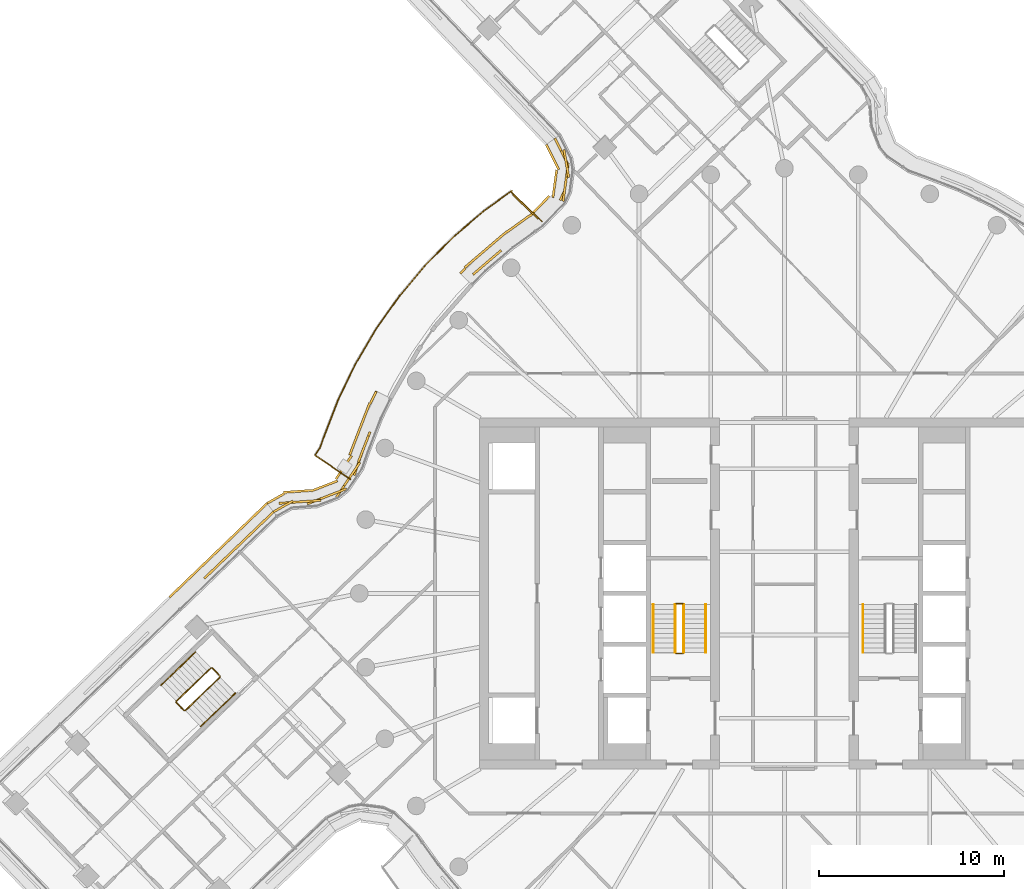
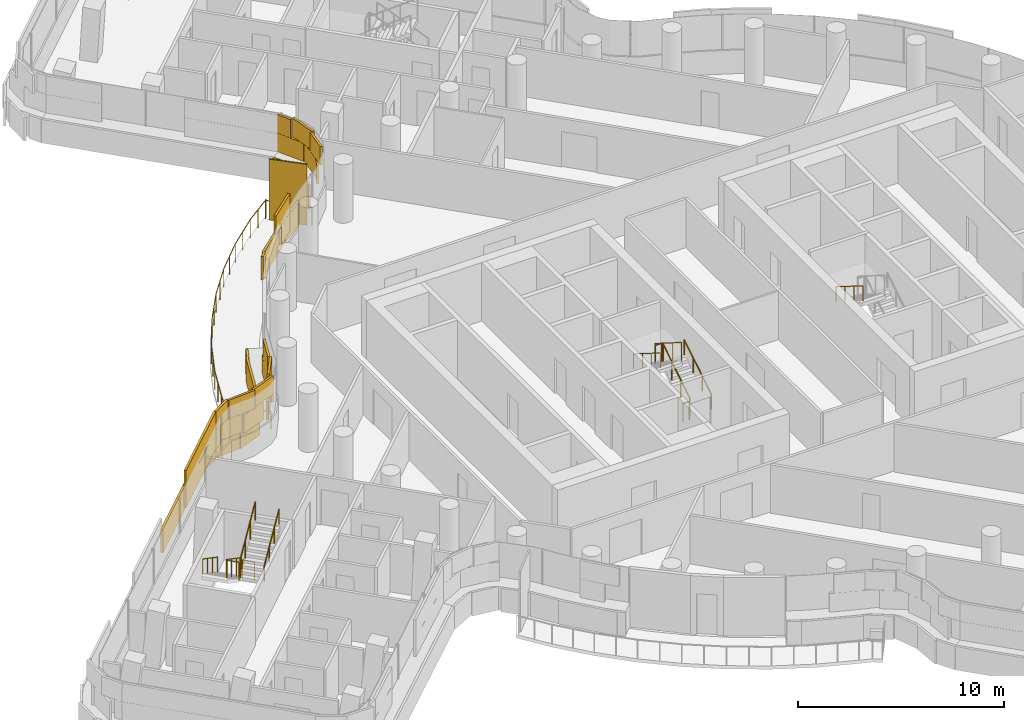
# One storey, part 30 of 34: 14 railings, 3 coverings, 1 shading device.
"""IFC4 building model written with IfcOpenShell, lengths in metres."""

from ifc_helpers import new_model, si_unit, direction, frame, origin, origin_2d, place, context, subcontext, project, spatial, rectangle, circle, extrude, material, layer, layer_set, type_object, element, save


model = new_model("IFC4")

# Units and contexts
model_context = context("Model", 3, precision=1e-05, world=origin(), true_north=direction((0.0, 1.0)))
body_context = subcontext(model_context, "Body", "Model", "MODEL_VIEW")
ifc_project = project(units=[si_unit("LENGTHUNIT", "METRE"), si_unit("AREAUNIT", "SQUARE_METRE"), si_unit("VOLUMEUNIT", "CUBIC_METRE"), si_unit("PLANEANGLEUNIT", "RADIAN"), si_unit("MASSUNIT", "GRAM", prefix="KILO")], contexts=[model_context])

# Site, building, storey
site_placement = place(None, origin())
site = spatial("IfcSite", under=ifc_project, at=site_placement, CompositionType="ELEMENT")
building_placement = place(site_placement, origin())
building = spatial("IfcBuilding", under=site, at=building_placement, Name="Tamarind Cross Interchange Tower", CompositionType="ELEMENT")
storey_placement = place(building_placement, frame((0.0, 0.0, 193.300048828125)))
storey = spatial("IfcBuildingStorey", under=building, at=storey_placement, Name="L48", CompositionType="ELEMENT", Elevation=193.300048828125)

# Railing
ifc_material_1 = material(Name="Stainless steel and laminated glass", Category="steel")
railing_type_1 = type_object("IfcRailingType", Name="Balcony guard", PredefinedType="BALUSTRADE", material=ifc_material_1)
railing_1_placement = place(storey_placement, frame((-13.123291015625, 20.123046875, 0.0)))
element("IfcRailing", 1, at=railing_1_placement, inside=storey, type_object=railing_type_1, Name="Balcony guard 10", PredefinedType="BALUSTRADE", context=body_context, shape_type="SweptSolid", body=[
    extrude(circle(Radius=0.02490234375, at=origin_2d()), frame((0.0, 0.0, 1.0751953125), z_axis=(-0.720861375087, 0.693079272456, 0.0), x_axis=(-0.693079272456, -0.720861375087, 0.0)), (0.0, 0.0, 1.0), 2.320068359375),
    extrude(circle(Radius=0.02490234375, at=origin_2d()), frame((-1.67236328125, 1.60791015625, 1.0751953125), z_axis=(0.692410699001, 0.721503585514, 0.0), x_axis=(-0.721503585514, 0.692410699001, 0.0)), (0.0, 0.0, 1.0), 0.083984375),
    extrude(circle(Radius=0.02490234375, at=origin_2d()), frame((-1.6142578125, 1.66845703125, 1.0751953125), z_axis=(-0.811326200744, -0.584593701631, 0.0), x_axis=(0.584593701631, -0.811326200744, 0.0)), (0.0, 0.0, 1.0), 1.869384765625),
    extrude(circle(Radius=0.02490234375, at=origin_2d()), frame((-3.130859375, 0.57568359375, 1.0751953125), z_axis=(-0.760277812684, -0.649598066146, 0.0), x_axis=(0.649598066146, -0.760277812684, 0.0)), (0.0, 0.0, 1.0), 2.175048828125),
    extrude(circle(Radius=0.02490234375, at=origin_2d()), frame((-4.784423828125, -0.837158203125, 1.0751953125), z_axis=(-0.704069857635, -0.710130717242, 0.0), x_axis=(0.710130717242, -0.704069857635, 0.0)), (0.0, 0.0, 1.0), 2.17529296875),
    extrude(circle(Radius=0.02490234375, at=origin_2d()), frame((-6.31591796875, -2.3818359375, 1.0751953125), z_axis=(-0.642984125922, -0.765879503455, 0.0), x_axis=(0.765879503455, -0.642984125922, 0.0)), (0.0, 0.0, 1.0), 2.17529296875),
    extrude(circle(Radius=0.02490234375, at=origin_2d()), frame((-7.714599609375, -4.0478515625, 1.0751953125), z_axis=(-0.577590617379, -0.81632657602, 0.0), x_axis=(0.81632657602, -0.577590617379, 0.0)), (0.0, 0.0, 1.0), 2.175048828125),
    extrude(circle(Radius=0.02490234375, at=origin_2d()), frame((-8.970947265625, -5.823486328125, 1.0751953125), z_axis=(-0.508226290333, -0.861223570169, 0.0), x_axis=(0.861223570169, -0.508226290333, 0.0)), (0.0, 0.0, 1.0), 2.175048828125),
    extrude(circle(Radius=0.02490234375, at=origin_2d()), frame((-10.076416015625, -7.69677734375, 1.0751953125), z_axis=(-0.435276325285, -0.90029690694, 0.0), x_axis=(0.90029690694, -0.435276325285, 0.0)), (0.0, 0.0, 1.0), 2.175048828125),
    extrude(circle(Radius=0.02490234375, at=origin_2d()), frame((-11.023193359375, -9.655029296875, 1.0751953125), z_axis=(-0.35954436288, -0.933127992893, 0.0), x_axis=(0.933127992893, -0.35954436288, 0.0)), (0.0, 0.0, 1.0), 2.112548828125),
    extrude(circle(Radius=0.02490234375, at=origin_2d()), frame((-11.78271484375, -11.626220703125, 1.0751953125), z_axis=(-0.332508122255, -0.943100391599, 0.0), x_axis=(0.943100391599, -0.332508122255, 0.0)), (0.0, 0.0, 1.0), 0.655029296875),
    extrude(circle(Radius=0.02490234375, at=origin_2d()), frame((-12.00048828125, -12.243896484375, 1.0751953125), z_axis=(-0.559038674622, -0.829141580357, 0.0), x_axis=(0.829141580357, -0.559038674622, 0.0)), (0.0, 0.0, 1.0), 0.49267578125),
    extrude(circle(Radius=0.02490234375, at=origin_2d()), frame((-12.27587890625, -12.65234375, 1.0751953125), z_axis=(0.829026746745, -0.559208953059, 0.0), x_axis=(0.559208953059, 0.829026746745, 0.0)), (0.0, 0.0, 1.0), 2.320068359375),
    extrude(circle(Radius=0.02001953125, at=origin_2d()), origin(), (0.0, 0.0, 1.0), 1.050048828125),
    extrude(circle(Radius=0.02001953125, at=origin_2d()), frame((-0.836181640625, 0.803955078125, 0.0)), (0.0, 0.0, 1.0), 1.050048828125),
    extrude(circle(Radius=0.02001953125, at=origin_2d()), frame((-1.67236328125, 1.60791015625, 0.0)), (0.0, 0.0, 1.0), 1.050048828125),
    extrude(circle(Radius=0.02001953125, at=origin_2d()), frame((-1.6142578125, 1.66845703125, 0.0)), (0.0, 0.0, 1.0), 1.050048828125),
    extrude(circle(Radius=0.02001953125, at=origin_2d()), frame((-2.37255859375, 1.1220703125, 0.0)), (0.0, 0.0, 1.0), 1.050048828125),
    extrude(circle(Radius=0.02001953125, at=origin_2d()), frame((-3.130859375, 0.57568359375, 0.0)), (0.0, 0.0, 1.0), 1.050048828125),
    extrude(circle(Radius=0.02001953125, at=origin_2d()), frame((-3.95751953125, -0.130859375, 0.0)), (0.0, 0.0, 1.0), 1.050048828125),
    extrude(circle(Radius=0.02001953125, at=origin_2d()), frame((-4.784423828125, -0.837158203125, 0.0)), (0.0, 0.0, 1.0), 1.050048828125),
    extrude(circle(Radius=0.02001953125, at=origin_2d()), frame((-5.55029296875, -1.609375, 0.0)), (0.0, 0.0, 1.0), 1.050048828125),
    extrude(circle(Radius=0.02001953125, at=origin_2d()), frame((-6.31591796875, -2.3818359375, 0.0)), (0.0, 0.0, 1.0), 1.050048828125),
    extrude(circle(Radius=0.02001953125, at=origin_2d()), frame((-7.01513671875, -3.21484375, 0.0)), (0.0, 0.0, 1.0), 1.050048828125),
    extrude(circle(Radius=0.02001953125, at=origin_2d()), frame((-7.714599609375, -4.0478515625, 0.0)), (0.0, 0.0, 1.0), 1.050048828125),
    extrude(circle(Radius=0.02001953125, at=origin_2d()), frame((-8.3427734375, -4.935546875, 0.0)), (0.0, 0.0, 1.0), 1.050048828125),
    extrude(circle(Radius=0.02001953125, at=origin_2d()), frame((-8.970947265625, -5.823486328125, 0.0)), (0.0, 0.0, 1.0), 1.050048828125),
    extrude(circle(Radius=0.02001953125, at=origin_2d()), frame((-9.523681640625, -6.76025390625, 0.0)), (0.0, 0.0, 1.0), 1.050048828125),
    extrude(circle(Radius=0.02001953125, at=origin_2d()), frame((-10.076416015625, -7.69677734375, 0.0)), (0.0, 0.0, 1.0), 1.050048828125),
    extrude(circle(Radius=0.02001953125, at=origin_2d()), frame((-10.5498046875, -8.67578125, 0.0)), (0.0, 0.0, 1.0), 1.050048828125),
    extrude(circle(Radius=0.02001953125, at=origin_2d()), frame((-11.023193359375, -9.655029296875, 0.0)), (0.0, 0.0, 1.0), 1.050048828125),
    extrude(circle(Radius=0.02001953125, at=origin_2d()), frame((-11.40283203125, -10.640625, 0.0)), (0.0, 0.0, 1.0), 1.050048828125),
    extrude(circle(Radius=0.02001953125, at=origin_2d()), frame((-11.78271484375, -11.626220703125, 0.0)), (0.0, 0.0, 1.0), 1.050048828125),
    extrude(circle(Radius=0.02001953125, at=origin_2d()), frame((-12.00048828125, -12.243896484375, 0.0)), (0.0, 0.0, 1.0), 1.050048828125),
    extrude(circle(Radius=0.02001953125, at=origin_2d()), frame((-12.27587890625, -12.65234375, 0.0)), (0.0, 0.0, 1.0), 1.050048828125),
    extrude(circle(Radius=0.02001953125, at=origin_2d()), frame((-11.314208984375, -13.301025390625, 0.0)), (0.0, 0.0, 1.0), 1.050048828125),
    extrude(circle(Radius=0.02001953125, at=origin_2d()), frame((-10.3525390625, -13.94970703125, 0.0)), (0.0, 0.0, 1.0), 1.050048828125),
])

# Shading device
ifc_material_2 = material(Name="Bronze-finish aluminium louvre", Category="aluminium")
ifc_layer_1 = layer(ifc_material_2, 0.080078125)
ifc_layer_set_1 = layer_set([ifc_layer_1], Name="Bronze-finish aluminium louvre")
shading_device_type = type_object("IfcShadingDeviceType", Name="Operable louvre bay", PredefinedType="JALOUSIE", material=ifc_layer_set_1)
shading_device_placement = place(storey_placement, origin())
element("IfcShadingDevice", 2, at=shading_device_placement, inside=storey, type_object=shading_device_type, Name="LVR-L48-BAL10", PredefinedType="JALOUSIE", context=body_context, shape_type="SweptSolid", body=[
    extrude(rectangle(XDim=1.89990234375, YDim=0.080078125, at=origin_2d()), frame((-14.006591796875, 20.928466796875, 0.0), z_axis=(0.0, 0.0, 1.0), x_axis=(-0.720856392912, 0.693084454304, 0.0)), (0.0, 0.0, 1.0), 3.60009765625),
])

# Railings
ifc_material_3 = material(Name="Stair guard")
railing_type_2 = type_object("IfcRailingType", Name="Stair guard", PredefinedType="GUARDRAIL", material=ifc_material_3)
railing_2_placement = place(storey_placement, frame((-5.449951171875, -3.199951171875, 0.16357421875)))
element("IfcRailing", 3, at=railing_2_placement, inside=storey, type_object=railing_type_2, Name="L48 ST1 stair guard 1", PredefinedType="GUARDRAIL", context=body_context, shape_type="SweptSolid", body=[
    extrude(circle(Radius=0.02392578125, at=origin_2d()), frame((0.0, 0.0, 1.076171875), z_axis=(0.0, 0.846301844409, 0.532703658848), x_axis=(-1.0, 0.0, 0.0)), (0.0, 0.0, 1.0), 3.072021484375),
    extrude(circle(Radius=0.02099609375, at=origin_2d()), origin(), (0.0, 0.0, 1.0), 1.052001953125),
    extrude(circle(Radius=0.02099609375, at=origin_2d()), frame((0.0, 0.86669921875, 0.54541015625)), (0.0, 0.0, 1.0), 1.052001953125),
    extrude(circle(Radius=0.02099609375, at=origin_2d()), frame((0.0, 1.733154296875, 1.091064453125)), (0.0, 0.0, 1.0), 1.052001953125),
    extrude(circle(Radius=0.02099609375, at=origin_2d()), frame((0.0, 2.599853515625, 1.636474609375)), (0.0, 0.0, 1.0), 1.052001953125),
])
railing_3_placement = place(storey_placement, frame((-5.5, -0.550048828125, 1.800048828125)))
element("IfcRailing", 4, at=railing_3_placement, inside=storey, type_object=railing_type_2, Name="L48 ST1 stair guard 2", PredefinedType="GUARDRAIL", context=body_context, shape_type="SweptSolid", body=[
    extrude(circle(Radius=0.02392578125, at=origin_2d()), frame((0.0, 0.0, 1.076171875), z_axis=(-1.0, 0.0, 0.0), x_axis=(0.0, -1.0, 0.0)), (0.0, 0.0, 1.0), 0.35009765625),
    extrude(circle(Radius=0.02099609375, at=origin_2d()), origin(), (0.0, 0.0, 1.0), 1.052001953125),
    extrude(circle(Radius=0.02099609375, at=origin_2d()), frame((-0.35009765625, 0.0, 0.0)), (0.0, 0.0, 1.0), 1.052001953125),
])
railing_4_placement = place(storey_placement, frame((-5.89990234375, -0.60009765625, 1.963623046875)))
element("IfcRailing", 5, at=railing_4_placement, inside=storey, type_object=railing_type_2, Name="L48 ST1 stair guard 3", PredefinedType="GUARDRAIL", context=body_context, shape_type="SweptSolid", body=[
    extrude(circle(Radius=0.02392578125, at=origin_2d()), frame((0.0, 0.0, 1.076171875), z_axis=(0.0, -0.846337672412, 0.532646734952), x_axis=(1.0, 0.0, 0.0)), (0.0, 0.0, 1.0), 3.07177734375),
    extrude(circle(Radius=0.02099609375, at=origin_2d()), origin(), (0.0, 0.0, 1.0), 1.052001953125),
    extrude(circle(Radius=0.02099609375, at=origin_2d()), frame((0.0, -0.86669921875, 0.54541015625)), (0.0, 0.0, 1.0), 1.052001953125),
    extrude(circle(Radius=0.02099609375, at=origin_2d()), frame((0.0, -1.733154296875, 1.0908203125)), (0.0, 0.0, 1.0), 1.052001953125),
    extrude(circle(Radius=0.02099609375, at=origin_2d()), frame((0.0, -2.599853515625, 1.63623046875)), (0.0, 0.0, 1.0), 1.052001953125),
])
railing_5_placement = place(storey_placement, frame((-5.5, -3.25, 0.0)))
element("IfcRailing", 6, at=railing_5_placement, inside=storey, type_object=railing_type_2, Name="L48 ST1 stair guard 4", PredefinedType="GUARDRAIL", context=body_context, shape_type="SweptSolid", body=[
    extrude(circle(Radius=0.02392578125, at=origin_2d()), frame((0.0, 0.0, 1.076171875), z_axis=(-1.0, 0.0, 0.0), x_axis=(0.0, -1.0, 0.0)), (0.0, 0.0, 1.0), 0.35009765625),
    extrude(circle(Radius=0.02099609375, at=origin_2d()), origin(), (0.0, 0.0, 1.0), 1.052001953125),
    extrude(circle(Radius=0.02099609375, at=origin_2d()), frame((-0.35009765625, 0.0, 0.0)), (0.0, 0.0, 1.0), 1.052001953125),
])
railing_6_placement = place(storey_placement, frame((-31.025390625, -4.031982421875, 0.16357421875)))
element("IfcRailing", 7, at=railing_6_placement, inside=storey, type_object=railing_type_2, Name="L48 ST5 stair guard 1", PredefinedType="GUARDRAIL", context=body_context, shape_type="SweptSolid", body=[
    extrude(circle(Radius=0.02392578125, at=origin_2d()), frame((0.0, 0.0, 1.076171875), z_axis=(-0.610003938993, -0.586640057014, 0.532680615303), x_axis=(0.693168763565, -0.720775322287, 0.0)), (0.0, 0.0, 1.0), 3.072265625),
    extrude(circle(Radius=0.02099609375, at=origin_2d()), origin(), (0.0, 0.0, 1.0), 1.052001953125),
    extrude(circle(Radius=0.02099609375, at=origin_2d()), frame((-0.624755859375, -0.600830078125, 0.54541015625)), (0.0, 0.0, 1.0), 1.052001953125),
    extrude(circle(Radius=0.02099609375, at=origin_2d()), frame((-1.249267578125, -1.201416015625, 1.091064453125)), (0.0, 0.0, 1.0), 1.052001953125),
    extrude(circle(Radius=0.02099609375, at=origin_2d()), frame((-1.8740234375, -1.80224609375, 1.636474609375)), (0.0, 0.0, 1.0), 1.052001953125),
])
railing_7_placement = place(storey_placement, frame((-32.900634765625, -5.90478515625, 1.800048828125)))
element("IfcRailing", 8, at=railing_7_placement, inside=storey, type_object=railing_type_2, Name="L48 ST5 stair guard 2", PredefinedType="GUARDRAIL", context=body_context, shape_type="SweptSolid", body=[
    extrude(circle(Radius=0.02392578125, at=origin_2d()), frame((0.0, 0.0, 1.076171875), z_axis=(0.692929801917, -0.721005055194, 0.0), x_axis=(0.721005055194, 0.692929801917, 0.0)), (0.0, 0.0, 1.0), 0.60009765625),
    extrude(circle(Radius=0.02099609375, at=origin_2d()), origin(), (0.0, 0.0, 1.0), 1.052001953125),
    extrude(circle(Radius=0.02099609375, at=origin_2d()), frame((0.415771484375, -0.4326171875, 0.0)), (0.0, 0.0, 1.0), 1.052001953125),
])
railing_8_placement = place(storey_placement, frame((-32.4140625, -6.338623046875, 1.963623046875)))
element("IfcRailing", 9, at=railing_8_placement, inside=storey, type_object=railing_type_2, Name="L48 ST5 stair guard 3", PredefinedType="GUARDRAIL", context=body_context, shape_type="SweptSolid", body=[
    extrude(circle(Radius=0.02392578125, at=origin_2d()), frame((0.0, 0.0, 1.076171875), z_axis=(0.610029761142, 0.586664890144, 0.532623691919), x_axis=(-0.693168763565, 0.720775322287, 0.0)), (0.0, 0.0, 1.0), 3.072021484375),
    extrude(circle(Radius=0.02099609375, at=origin_2d()), origin(), (0.0, 0.0, 1.0), 1.052001953125),
    extrude(circle(Radius=0.02099609375, at=origin_2d()), frame((0.624755859375, 0.600830078125, 0.54541015625)), (0.0, 0.0, 1.0), 1.052001953125),
    extrude(circle(Radius=0.02099609375, at=origin_2d()), frame((1.249267578125, 1.201416015625, 1.0908203125)), (0.0, 0.0, 1.0), 1.052001953125),
    extrude(circle(Radius=0.02099609375, at=origin_2d()), frame((1.8740234375, 1.80224609375, 1.63623046875)), (0.0, 0.0, 1.0), 1.052001953125),
])
railing_9_placement = place(storey_placement, frame((-30.95458984375, -4.033203125, 0.0)))
element("IfcRailing", 10, at=railing_9_placement, inside=storey, type_object=railing_type_2, Name="L48 ST5 stair guard 4", PredefinedType="GUARDRAIL", context=body_context, shape_type="SweptSolid", body=[
    extrude(circle(Radius=0.02392578125, at=origin_2d()), frame((0.0, 0.0, 1.076171875), z_axis=(0.692929801917, -0.721005055194, 0.0), x_axis=(0.721005055194, 0.692929801917, 0.0)), (0.0, 0.0, 1.0), 0.60009765625),
    extrude(circle(Radius=0.02099609375, at=origin_2d()), origin(), (0.0, 0.0, 1.0), 1.052001953125),
    extrude(circle(Radius=0.02099609375, at=origin_2d()), frame((0.415771484375, -0.4326171875, 0.0)), (0.0, 0.0, 1.0), 1.052001953125),
])
ifc_material_4 = material(Name="Stair handrail")
railing_type_3 = type_object("IfcRailingType", Name="Stair handrail", PredefinedType="HANDRAIL", material=ifc_material_4)
railing_10_placement = place(storey_placement, frame((-4.25, -3.199951171875, 0.16357421875)))
element("IfcRailing", 11, at=railing_10_placement, inside=storey, type_object=railing_type_3, Name="L48 ST1 stair handrail 1", PredefinedType="HANDRAIL", context=body_context, shape_type="SweptSolid", body=[
    extrude(circle(Radius=0.02392578125, at=origin_2d()), frame((0.0, 0.0, 0.8759765625), z_axis=(0.0, 0.846301844409, 0.532703658848), x_axis=(-1.0, 0.0, 0.0)), (0.0, 0.0, 1.0), 3.072021484375),
    extrude(circle(Radius=0.02099609375, at=origin_2d()), origin(), (0.0, 0.0, 1.0), 0.851806640625),
    extrude(circle(Radius=0.02099609375, at=origin_2d()), frame((0.0, 0.86669921875, 0.54541015625)), (0.0, 0.0, 1.0), 0.851806640625),
    extrude(circle(Radius=0.02099609375, at=origin_2d()), frame((0.0, 1.733154296875, 1.091064453125)), (0.0, 0.0, 1.0), 0.851806640625),
    extrude(circle(Radius=0.02099609375, at=origin_2d()), frame((0.0, 2.599853515625, 1.636474609375)), (0.0, 0.0, 1.0), 0.851806640625),
])
for number, where, name in (
    (12, (-7.10009765625, -0.60009765625, 1.963623046875), "L48 ST1 stair handrail 2"),
    (13, (4.25, -0.60009765625, 1.963623046875), "L48 ST2 stair handrail 2"),
):
    element("IfcRailing", number, at=place(storey_placement, frame(where)), inside=storey, type_object=railing_type_3, Name=name, PredefinedType="HANDRAIL", context=body_context, shape_type="SweptSolid", body=[
        extrude(circle(Radius=0.02392578125, at=origin_2d()), frame((0.0, 0.0, 0.8759765625), z_axis=(0.0, -0.846337672412, 0.532646734952), x_axis=(1.0, 0.0, 0.0)), (0.0, 0.0, 1.0), 3.07177734375),
        extrude(circle(Radius=0.02099609375, at=origin_2d()), origin(), (0.0, 0.0, 1.0), 0.851806640625),
        extrude(circle(Radius=0.02099609375, at=origin_2d()), frame((0.0, -0.86669921875, 0.54541015625)), (0.0, 0.0, 1.0), 0.851806640625),
        extrude(circle(Radius=0.02099609375, at=origin_2d()), frame((0.0, -1.733154296875, 1.0908203125)), (0.0, 0.0, 1.0), 0.851806640625),
        extrude(circle(Radius=0.02099609375, at=origin_2d()), frame((0.0, -2.599853515625, 1.63623046875)), (0.0, 0.0, 1.0), 0.851806640625),
    ])
railing_11_placement = place(storey_placement, frame((-31.857177734375, -3.1669921875, 0.16357421875)))
element("IfcRailing", 14, at=railing_11_placement, inside=storey, type_object=railing_type_3, Name="L48 ST5 stair handrail 1", PredefinedType="HANDRAIL", context=body_context, shape_type="SweptSolid", body=[
    extrude(circle(Radius=0.02392578125, at=origin_2d()), frame((0.0, 0.0, 0.8759765625), z_axis=(-0.610003938993, -0.586640057014, 0.532680615303), x_axis=(0.693168763565, -0.720775322287, 0.0)), (0.0, 0.0, 1.0), 3.072265625),
    extrude(circle(Radius=0.02099609375, at=origin_2d()), origin(), (0.0, 0.0, 1.0), 0.851806640625),
    extrude(circle(Radius=0.02099609375, at=origin_2d()), frame((-0.624755859375, -0.600830078125, 0.54541015625)), (0.0, 0.0, 1.0), 0.851806640625),
    extrude(circle(Radius=0.02099609375, at=origin_2d()), frame((-1.249267578125, -1.201416015625, 1.091064453125)), (0.0, 0.0, 1.0), 0.851806640625),
    extrude(circle(Radius=0.02099609375, at=origin_2d()), frame((-1.8740234375, -1.80224609375, 1.636474609375)), (0.0, 0.0, 1.0), 0.851806640625),
])
railing_12_placement = place(storey_placement, frame((-31.582275390625, -7.20361328125, 1.963623046875)))
element("IfcRailing", 15, at=railing_12_placement, inside=storey, type_object=railing_type_3, Name="L48 ST5 stair handrail 2", PredefinedType="HANDRAIL", context=body_context, shape_type="SweptSolid", body=[
    extrude(circle(Radius=0.02392578125, at=origin_2d()), frame((0.0, 0.0, 0.8759765625), z_axis=(0.610029761142, 0.586664890144, 0.532623691919), x_axis=(-0.693168763565, 0.720775322287, 0.0)), (0.0, 0.0, 1.0), 3.072021484375),
    extrude(circle(Radius=0.02099609375, at=origin_2d()), origin(), (0.0, 0.0, 1.0), 0.851806640625),
    extrude(circle(Radius=0.02099609375, at=origin_2d()), frame((0.624755859375, 0.600830078125, 0.54541015625)), (0.0, 0.0, 1.0), 0.851806640625),
    extrude(circle(Radius=0.02099609375, at=origin_2d()), frame((1.249267578125, 1.201416015625, 1.0908203125)), (0.0, 0.0, 1.0), 0.851806640625),
    extrude(circle(Radius=0.02099609375, at=origin_2d()), frame((1.8740234375, 1.80224609375, 1.63623046875)), (0.0, 0.0, 1.0), 0.851806640625),
])

# Coverings
ifc_material_5 = material(Name="Terracotta", Category="masonry")
ifc_layer_2 = layer(ifc_material_5, 0.1201171875)
ifc_layer_set_2 = layer_set([ifc_layer_2], Name="Terracotta")
covering_type = type_object("IfcCoveringType", Name="Terracotta baguette screen unit", PredefinedType="MOLDING", material=ifc_layer_set_2)
covering_1_placement = place(storey_placement, origin())
element("IfcCovering", 16, at=covering_1_placement, inside=storey, type_object=covering_type, Name="SCR-L48-10-00", PredefinedType="MOLDING", context=body_context, shape_type="SweptSolid", body=[
    extrude(rectangle(XDim=1.510009765625, YDim=0.1201171875, at=origin_2d()), frame((-12.077880859375, 23.94677734375, 1.40380859375), z_axis=(0.0, 0.0, 1.0), x_axis=(0.449312433431, -0.893374690242, 0.0)), (0.0, 0.0, 1.0), 1.092041015625),
    extrude(rectangle(XDim=1.52001953125, YDim=0.1201171875, at=origin_2d()), frame((-11.797119140625, 22.51611328125, 1.40380859375), z_axis=(0.0, 0.0, 1.0), x_axis=(-0.133371517322, -0.991066112006, 0.0)), (0.0, 0.0, 1.0), 1.092041015625),
    extrude(rectangle(XDim=0.56640625, YDim=0.1201171875, at=origin_2d()), frame((-12.0185546875, 21.521484375, 1.40380859375), z_axis=(0.0, 0.0, 1.0), x_axis=(-0.420188426488, -0.907436877279, 0.0)), (0.0, 0.0, 1.0), 1.092041015625),
    extrude(rectangle(XDim=1.253662109375, YDim=0.1201171875, at=origin_2d()), frame((-15.799560546875, 18.154052734375, 1.40380859375), z_axis=(0.0, 0.0, 1.0), x_axis=(-0.760295606781, -0.64957723968, 0.0)), (0.0, 0.0, 1.0), 1.092041015625),
    extrude(rectangle(XDim=0.760009765625, YDim=0.1201171875, at=origin_2d()), frame((-12.246337890625, 24.281982421875, 2.50390625), z_axis=(0.0, 0.0, 1.0), x_axis=(0.449312433431, -0.893374690242, 0.0)), (0.0, 0.0, 1.0), 1.092041015625),
    extrude(rectangle(XDim=1.52001953125, YDim=0.1201171875, at=origin_2d()), frame((-11.799560546875, 23.257568359375, 2.50390625), z_axis=(0.0, 0.0, 1.0), x_axis=(0.165349838501, -0.986234977532, 0.0)), (0.0, 0.0, 1.0), 1.092041015625),
    extrude(rectangle(XDim=1.31640625, YDim=0.1201171875, at=origin_2d()), frame((-11.88427734375, 21.86865234375, 2.50390625), z_axis=(0.0, 0.0, 1.0), x_axis=(-0.133371517322, -0.991066112006, 0.0)), (0.0, 0.0, 1.0), 1.092041015625),
    extrude(rectangle(XDim=0.503662109375, YDim=0.1201171875, at=origin_2d()), frame((-15.514404296875, 18.397705078125, 2.50390625), z_axis=(0.0, 0.0, 1.0), x_axis=(-0.760295606781, -0.64957723968, 0.0)), (0.0, 0.0, 1.0), 1.092041015625),
    extrude(rectangle(XDim=1.52001953125, YDim=0.1201171875, at=origin_2d()), frame((-16.272216796875, 17.75, 2.50390625), z_axis=(0.0, 0.0, 1.0), x_axis=(-0.760295606781, -0.64957723968, 0.0)), (0.0, 0.0, 1.0), 1.092041015625),
    extrude(rectangle(XDim=1.510009765625, YDim=0.1201171875, at=origin_2d()), frame((-12.550048828125, 23.608154296875, 0.00390625), z_axis=(0.0, 0.0, 1.0), x_axis=(0.449312433431, -0.893374690242, 0.0)), (0.0, 0.0, 1.0), 1.39208984375),
    extrude(rectangle(XDim=1.52001953125, YDim=0.1201171875, at=origin_2d()), frame((-12.423828125, 22.1640625, 0.00390625), z_axis=(0.0, 0.0, 1.0), x_axis=(-0.133371517322, -0.991066112006, 0.0)), (0.0, 0.0, 1.0), 1.39208984375),
    extrude(rectangle(XDim=1.52001953125, YDim=0.1201171875, at=origin_2d()), frame((-13.2431640625, 20.956298828125, 0.00390625), z_axis=(0.0, 0.0, 1.0), x_axis=(-0.693084454304, -0.720856392912, 0.0)), (0.0, 0.0, 1.0), 1.39208984375),
    extrude(rectangle(XDim=1.52001953125, YDim=0.1201171875, at=origin_2d()), frame((-14.39111328125, 20.0, 0.00390625), z_axis=(0.0, 0.0, 1.0), x_axis=(-0.811340475102, -0.584573890505, 0.0)), (0.0, 0.0, 1.0), 1.39208984375),
    extrude(rectangle(XDim=1.52001953125, YDim=0.1201171875, at=origin_2d()), frame((-15.58447265625, 19.0927734375, 0.00390625), z_axis=(0.0, 0.0, 1.0), x_axis=(-0.760295606781, -0.64957723968, 0.0)), (0.0, 0.0, 1.0), 1.39208984375),
    extrude(rectangle(XDim=1.52001953125, YDim=0.1201171875, at=origin_2d()), frame((-16.724853515625, 18.118408203125, 0.00390625), z_axis=(0.0, 0.0, 1.0), x_axis=(-0.760295606781, -0.64957723968, 0.0)), (0.0, 0.0, 1.0), 1.39208984375),
    extrude(rectangle(XDim=0.403076171875, YDim=0.1201171875, at=origin_2d()), frame((-17.391845703125, 17.4541015625, 0.00390625), z_axis=(0.0, 0.0, 1.0), x_axis=(-0.704057148523, -0.710143317658, 0.0)), (0.0, 0.0, 1.0), 1.39208984375),
    extrude(rectangle(XDim=0.03076171875, YDim=0.1201171875, at=origin_2d()), frame((-22.08642578125, 10.924560546875, 0.00390625), z_axis=(0.0, 0.0, 1.0), x_axis=(-0.435326231914, -0.900272776334, 0.0)), (0.0, 0.0, 1.0), 1.39208984375),
])
covering_2_placement = place(storey_placement, origin())
element("IfcCovering", 17, at=covering_2_placement, inside=storey, type_object=covering_type, Name="SCR-L48-10-01", PredefinedType="MOLDING", context=body_context, shape_type="SweptSolid", body=[
    extrude(rectangle(XDim=0.998291015625, YDim=0.1201171875, at=origin_2d()), frame((-22.6015625, 8.275146484375, 1.40380859375), z_axis=(0.0, 0.0, 1.0), x_axis=(-0.359495435512, -0.933146843667, 0.0)), (0.0, 0.0, 1.0), 1.092041015625),
    extrude(rectangle(XDim=1.52001953125, YDim=0.1201171875, at=origin_2d()), frame((-23.03125, 7.107666015625, 1.40380859375), z_axis=(0.0, 0.0, 1.0), x_axis=(-0.332589340856, -0.943071752492, 0.0)), (0.0, 0.0, 1.0), 1.092041015625),
    extrude(rectangle(XDim=1.52001953125, YDim=0.1201171875, at=origin_2d()), frame((-23.8125, 5.835205078125, 1.40380859375), z_axis=(0.0, 0.0, 1.0), x_axis=(-0.559224583515, -0.829016203215, 0.0)), (0.0, 0.0, 1.0), 1.092041015625),
    extrude(rectangle(XDim=1.52001953125, YDim=0.1201171875, at=origin_2d()), frame((-25.102783203125, 5.11669921875, 1.40380859375), z_axis=(0.0, 0.0, 1.0), x_axis=(-0.932630670635, -0.360832415661, 0.0)), (0.0, 0.0, 1.0), 1.092041015625),
    extrude(rectangle(XDim=1.52001953125, YDim=0.1201171875, at=origin_2d()), frame((-26.580810546875, 4.92822265625, 1.40380859375), z_axis=(0.0, 0.0, 1.0), x_axis=(-0.997435050272, -0.071577374137, 0.0)), (0.0, 0.0, 1.0), 1.092041015625),
    extrude(rectangle(XDim=0.453857421875, YDim=0.1201171875, at=origin_2d()), frame((-27.4482421875, 4.5205078125, 1.40380859375), z_axis=(0.0, 0.0, 1.0), x_axis=(-0.87046387406, -0.4922323069, 0.0)), (0.0, 0.0, 1.0), 1.092041015625),
    extrude(rectangle(XDim=1.52001953125, YDim=0.1201171875, at=origin_2d()), frame((-22.779296875, 7.81396484375, 2.50390625), z_axis=(0.0, 0.0, 1.0), x_axis=(-0.359495435512, -0.933146843667, 0.0)), (0.0, 0.0, 1.0), 1.092041015625),
    extrude(rectangle(XDim=1.52001953125, YDim=0.1201171875, at=origin_2d()), frame((-23.39306640625, 6.45703125, 2.50390625), z_axis=(0.0, 0.0, 1.0), x_axis=(-0.559224583515, -0.829016203215, 0.0)), (0.0, 0.0, 1.0), 1.092041015625),
    extrude(rectangle(XDim=1.52001953125, YDim=0.1201171875, at=origin_2d()), frame((-24.4033203125, 5.38720703125, 2.50390625), z_axis=(0.0, 0.0, 1.0), x_axis=(-0.932630670635, -0.360832415661, 0.0)), (0.0, 0.0, 1.0), 1.092041015625),
    extrude(rectangle(XDim=1.52001953125, YDim=0.1201171875, at=origin_2d()), frame((-25.832763671875, 4.98193359375, 2.50390625), z_axis=(0.0, 0.0, 1.0), x_axis=(-0.997435050272, -0.071577374137, 0.0)), (0.0, 0.0, 1.0), 1.092041015625),
    extrude(rectangle(XDim=1.203857421875, YDim=0.1201171875, at=origin_2d()), frame((-27.121826171875, 4.705078125, 2.50390625), z_axis=(0.0, 0.0, 1.0), x_axis=(-0.87046387406, -0.4922323069, 0.0)), (0.0, 0.0, 1.0), 1.092041015625),
    extrude(rectangle(XDim=0.720458984375, YDim=0.1201171875, at=origin_2d()), frame((-22.249755859375, 10.58642578125, 0.00390625), z_axis=(0.0, 0.0, 1.0), x_axis=(-0.435326231914, -0.900272776334, 0.0)), (0.0, 0.0, 1.0), 1.39208984375),
    extrude(rectangle(XDim=1.52001953125, YDim=0.1201171875, at=origin_2d()), frame((-22.7109375, 9.588134765625, 0.00390625), z_axis=(0.0, 0.0, 1.0), x_axis=(-0.359495435512, -0.933146843667, 0.0)), (0.0, 0.0, 1.0), 1.39208984375),
    extrude(rectangle(XDim=1.52001953125, YDim=0.1201171875, at=origin_2d()), frame((-23.250244140625, 8.188232421875, 0.00390625), z_axis=(0.0, 0.0, 1.0), x_axis=(-0.359495435512, -0.933146843667, 0.0)), (0.0, 0.0, 1.0), 1.39208984375),
    extrude(rectangle(XDim=1.52001953125, YDim=0.1201171875, at=origin_2d()), frame((-23.84130859375, 6.819091796875, 0.00390625), z_axis=(0.0, 0.0, 1.0), x_axis=(-0.559224583515, -0.829016203215, 0.0)), (0.0, 0.0, 1.0), 1.39208984375),
    extrude(rectangle(XDim=1.52001953125, YDim=0.1201171875, at=origin_2d()), frame((-24.892333984375, 5.8134765625, 0.00390625), z_axis=(0.0, 0.0, 1.0), x_axis=(-0.932630670635, -0.360832415661, 0.0)), (0.0, 0.0, 1.0), 1.39208984375),
    extrude(rectangle(XDim=1.52001953125, YDim=0.1201171875, at=origin_2d()), frame((-26.346923828125, 5.5205078125, 0.00390625), z_axis=(0.0, 0.0, 1.0), x_axis=(-0.997435050272, -0.071577374137, 0.0)), (0.0, 0.0, 1.0), 1.39208984375),
    extrude(rectangle(XDim=1.060791015625, YDim=0.1201171875, at=origin_2d()), frame((-27.525390625, 5.13623046875, 0.00390625), z_axis=(0.0, 0.0, 1.0), x_axis=(-0.87046387406, -0.4922323069, 0.0)), (0.0, 0.0, 1.0), 1.39208984375),
])
covering_3_placement = place(storey_placement, origin())
element("IfcCovering", 18, at=covering_3_placement, inside=storey, type_object=covering_type, Name="SCR-L48-11-00", PredefinedType="MOLDING", context=body_context, shape_type="SweptSolid", body=[
    extrude(rectangle(XDim=1.510009765625, YDim=0.1201171875, at=origin_2d()), frame((-28.181884765625, 3.891357421875, 1.40380859375), z_axis=(0.0, 0.0, 1.0), x_axis=(-0.720773753988, -0.69317039432, 0.0)), (0.0, 0.0, 1.0), 1.092041015625),
    extrude(rectangle(XDim=1.52001953125, YDim=0.1201171875, at=origin_2d()), frame((-29.26318359375, 2.8515625, 1.40380859375), z_axis=(0.0, 0.0, 1.0), x_axis=(-0.720773753988, -0.69317039432, 0.0)), (0.0, 0.0, 1.0), 1.092041015625),
    extrude(rectangle(XDim=1.52001953125, YDim=0.1201171875, at=origin_2d()), frame((-30.34423828125, 1.81201171875, 1.40380859375), z_axis=(0.0, 0.0, 1.0), x_axis=(-0.720773753988, -0.69317039432, 0.0)), (0.0, 0.0, 1.0), 1.092041015625),
    extrude(rectangle(XDim=0.6982421875, YDim=0.1201171875, at=origin_2d()), frame((-31.1328125, 1.053466796875, 1.40380859375), z_axis=(0.0, 0.0, 1.0), x_axis=(-0.720773753988, -0.69317039432, 0.0)), (0.0, 0.0, 1.0), 1.092041015625),
    extrude(rectangle(XDim=0.760009765625, YDim=0.1201171875, at=origin_2d()), frame((-27.91162109375, 4.1513671875, 2.50390625), z_axis=(0.0, 0.0, 1.0), x_axis=(-0.720773753988, -0.69317039432, 0.0)), (0.0, 0.0, 1.0), 1.092041015625),
    extrude(rectangle(XDim=1.52001953125, YDim=0.1201171875, at=origin_2d()), frame((-28.72265625, 3.37158203125, 2.50390625), z_axis=(0.0, 0.0, 1.0), x_axis=(-0.720773753988, -0.69317039432, 0.0)), (0.0, 0.0, 1.0), 1.092041015625),
    extrude(rectangle(XDim=1.52001953125, YDim=0.1201171875, at=origin_2d()), frame((-29.8037109375, 2.331787109375, 2.50390625), z_axis=(0.0, 0.0, 1.0), x_axis=(-0.720773753988, -0.69317039432, 0.0)), (0.0, 0.0, 1.0), 1.092041015625),
    extrude(rectangle(XDim=1.4482421875, YDim=0.1201171875, at=origin_2d()), frame((-30.862548828125, 1.3134765625, 2.50390625), z_axis=(0.0, 0.0, 1.0), x_axis=(-0.720773753988, -0.69317039432, 0.0)), (0.0, 0.0, 1.0), 1.092041015625),
    extrude(rectangle(XDim=1.510009765625, YDim=0.1201171875, at=origin_2d()), frame((-28.53125, 4.351806640625, 0.00390625), z_axis=(0.0, 0.0, 1.0), x_axis=(-0.720773753988, -0.69317039432, 0.0)), (0.0, 0.0, 1.0), 1.39208984375),
    extrude(rectangle(XDim=1.52001953125, YDim=0.1201171875, at=origin_2d()), frame((-29.60888671875, 3.315673828125, 0.00390625), z_axis=(0.0, 0.0, 1.0), x_axis=(-0.720773753988, -0.69317039432, 0.0)), (0.0, 0.0, 1.0), 1.39208984375),
    extrude(rectangle(XDim=1.52001953125, YDim=0.1201171875, at=origin_2d()), frame((-30.68994140625, 2.27587890625, 0.00390625), z_axis=(0.0, 0.0, 1.0), x_axis=(-0.720773753988, -0.69317039432, 0.0)), (0.0, 0.0, 1.0), 1.39208984375),
    extrude(rectangle(XDim=1.52001953125, YDim=0.1201171875, at=origin_2d()), frame((-31.77099609375, 1.236083984375, 0.00390625), z_axis=(0.0, 0.0, 1.0), x_axis=(-0.720773753988, -0.69317039432, 0.0)), (0.0, 0.0, 1.0), 1.39208984375),
    extrude(rectangle(XDim=1.34912109375, YDim=0.1201171875, at=origin_2d()), frame((-32.790771484375, 0.255615234375, 0.00390625), z_axis=(0.0, 0.0, 1.0), x_axis=(-0.720773753988, -0.69317039432, 0.0)), (0.0, 0.0, 1.0), 1.39208984375),
])

save(model, "model.ifc")
